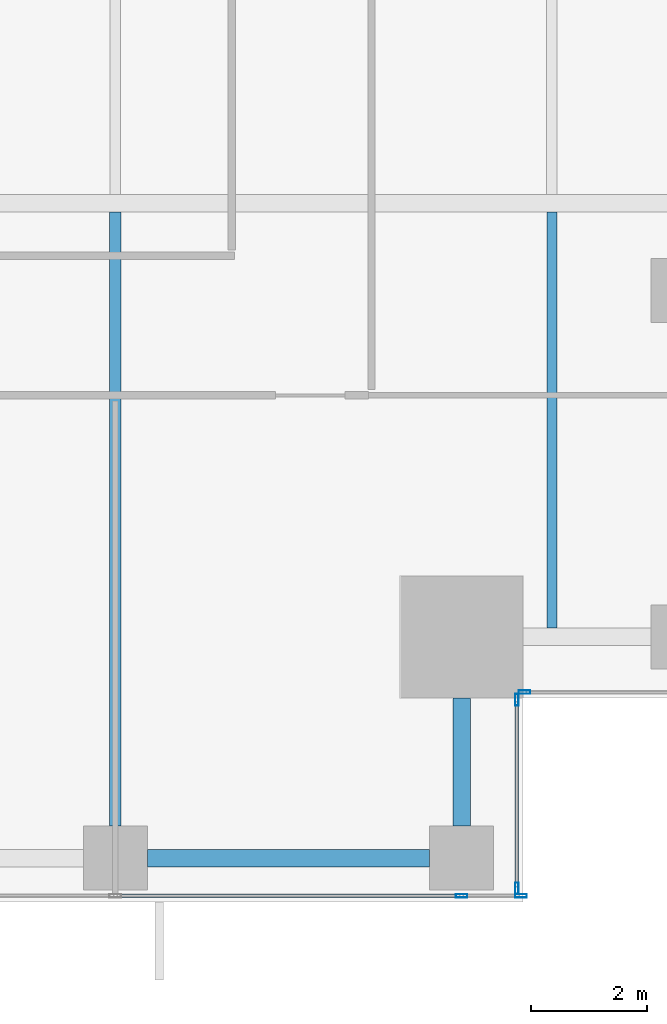
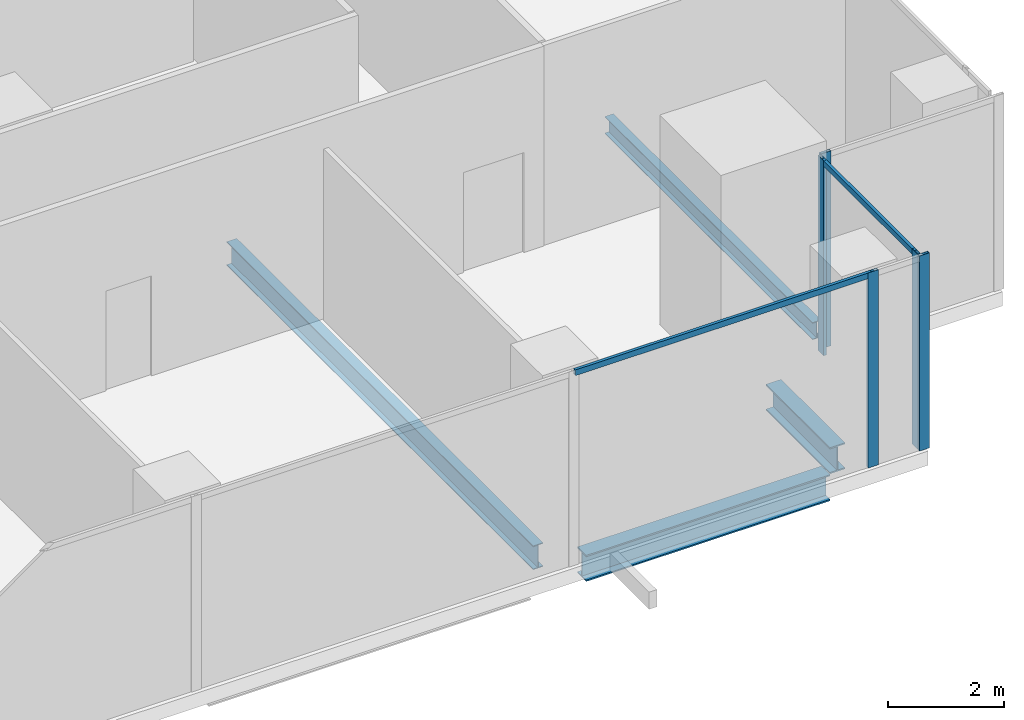
# One storey, part 10 of 34: 7 members, 4 beams, 3 elements without a shape of their own.
"""IFC4 building model written with IfcOpenShell, lengths in metres."""

from ifc_helpers import new_model, si_unit, direction, frame, origin, origin_2d, place, context, subcontext, project, spatial, hollow_rectangle, i_section, extrude, source, transform, mapped, material, material_profile, profile_set, type_object, element, aggregate, save


model = new_model("IFC4")

# Units and contexts
model_context = context("Model", 3, precision=1e-05, world=origin(), true_north=direction((0.0, 1.0)))
body_context = subcontext(model_context, "Body", "Model", "MODEL_VIEW")
ifc_project = project(units=[si_unit("LENGTHUNIT", "METRE"), si_unit("AREAUNIT", "SQUARE_METRE"), si_unit("VOLUMEUNIT", "CUBIC_METRE"), si_unit("PLANEANGLEUNIT", "RADIAN"), si_unit("MASSUNIT", "GRAM", prefix="KILO")], contexts=[model_context])

# Site, building, storey
site_placement = place(None, origin())
site = spatial("IfcSite", under=ifc_project, at=site_placement, CompositionType="ELEMENT")
building_placement = place(site_placement, origin())
building = spatial("IfcBuilding", under=site, at=building_placement, Name="Khomas Fold Tower", CompositionType="ELEMENT")
storey_placement = place(building_placement, frame((0.0, 0.0, 110.300048828125)))
storey = spatial("IfcBuildingStorey", under=building, at=storey_placement, Name="L23", CompositionType="ELEMENT", Elevation=110.300048828125)

# Beams
ifc_material_1 = material(Name="Steel S355", Category="steel")
ifc_material_profile_1 = material_profile(ifc_material_1, i_section(OverallWidth=0.169921875, OverallDepth=0.360107421875, WebThickness=0.008056640625, FlangeThickness=0.0126953125, at=origin_2d()), Name="IPE 360")
ifc_profile_set_1 = profile_set([ifc_material_profile_1], Name="Steel S355")
beam_type_1 = type_object("IfcBeamType", Name="IPE 360 beam JB2", PredefinedType="BEAM", material=ifc_profile_set_1)
shared_shape_1 = source(origin(), body_context, "Body", "SweptSolid", [
    extrude(i_section(OverallWidth=0.169921875, OverallDepth=0.360107421875, WebThickness=0.008056640625, FlangeThickness=0.0126953125, at=origin_2d()), origin(), (0.0, 0.0, 1.0), 7.150146484375),
])
beam_1_placement = place(storey_placement, frame((49.5, 6.199951171875, -0.47998046875), z_axis=(0.0, 1.0, 0.0), x_axis=(-1.0, 0.0, 0.0)))
element("IfcBeam", 1, at=beam_1_placement, inside=storey, type_object=beam_type_1, Name="JB2", PredefinedType="BEAM", context=body_context, shape_type="MappedRepresentation", body=[
    mapped(shared_shape_1, transform((0.0, 0.0, 0.0))),
])
ifc_material_2 = material(Name="Steel S355", Category="steel")
ifc_material_profile_2 = material_profile(ifc_material_2, i_section(OverallWidth=0.300048828125, OverallDepth=0.550048828125, WebThickness=0.014892578125, FlangeThickness=0.029052734375, at=origin_2d()), Name="HE 550 B")
ifc_profile_set_2 = profile_set([ifc_material_profile_2], Name="Steel S355")
beam_type_2 = type_object("IfcBeamType", Name="HE 550 B spandrel SB2", PredefinedType="SPANDREL", material=ifc_profile_set_2)
shared_shape_2 = source(origin(), body_context, "Body", "SweptSolid", [
    extrude(i_section(OverallWidth=0.300048828125, OverallDepth=0.550048828125, WebThickness=0.014892578125, FlangeThickness=0.029052734375, at=origin_2d()), origin(), (0.0, 0.0, 1.0), 4.849853515625),
])
beam_2_placement = place(storey_placement, frame((42.550048828125, 2.25, -0.574951171875), z_axis=(1.0, 0.0, 0.0), x_axis=(0.0, 1.0, 0.0)))
element("IfcBeam", 2, at=beam_2_placement, inside=storey, type_object=beam_type_2, Name="SB2", PredefinedType="SPANDREL", context=body_context, shape_type="MappedRepresentation", body=[
    mapped(shared_shape_2, transform((0.0, 0.0, 0.0))),
])
shared_shape_3 = source(origin(), body_context, "Body", "SweptSolid", [
    extrude(i_section(OverallWidth=0.300048828125, OverallDepth=0.550048828125, WebThickness=0.014892578125, FlangeThickness=0.029052734375, at=origin_2d()), origin(), (0.0, 0.0, 1.0), 2.199951171875),
])
beam_3_placement = place(storey_placement, frame((47.949951171875, 2.800048828125, -0.574951171875), z_axis=(0.0, 1.0, 0.0), x_axis=(-1.0, 0.0, 0.0)))
element("IfcBeam", 3, at=beam_3_placement, inside=storey, type_object=beam_type_2, Name="SB2", PredefinedType="SPANDREL", context=body_context, shape_type="MappedRepresentation", body=[
    mapped(shared_shape_3, transform((0.0, 0.0, 0.0))),
])
ifc_material_3 = material(Name="Steel S355", Category="steel")
ifc_material_profile_3 = material_profile(ifc_material_3, i_section(OverallWidth=0.199951171875, OverallDepth=0.5, WebThickness=0.01025390625, FlangeThickness=0.01611328125, at=origin_2d()), Name="IPE 500")
ifc_profile_set_3 = profile_set([ifc_material_profile_3], Name="Steel S355")
beam_type_3 = type_object("IfcBeamType", Name="IPE 500 beam JB5", PredefinedType="BEAM", material=ifc_profile_set_3)
shared_shape_4 = source(origin(), body_context, "Body", "SweptSolid", [
    extrude(i_section(OverallWidth=0.199951171875, OverallDepth=0.5, WebThickness=0.01025390625, FlangeThickness=0.01611328125, at=origin_2d()), origin(), (0.0, 0.0, 1.0), 10.550048828125),
])
beam_4_placement = place(storey_placement, frame((42.0, 2.800048828125, -0.550048828125), z_axis=(0.0, 1.0, 0.0), x_axis=(-1.0, 0.0, 0.0)))
element("IfcBeam", 4, at=beam_4_placement, inside=storey, type_object=beam_type_3, Name="JB5", PredefinedType="BEAM", context=body_context, shape_type="MappedRepresentation", body=[
    mapped(shared_shape_4, transform((0.0, 0.0, 0.0))),
])

# Curtain wall, member
ifc_material_4 = material(Name="Aluminium framed double glazing", Category="aluminium")
curtain_wall_type = type_object("IfcCurtainWallType", Name="SK-Unitised clear-glass wall, growing floors CW1", PredefinedType="NOTDEFINED", material=ifc_material_4)
curtain_wall_1_placement = place(storey_placement, origin())
curtain_wall_1 = element("IfcCurtainWall", 5, at=curtain_wall_1_placement, inside=storey, type_object=curtain_wall_type, Name="CW1 run L23 00-0", PredefinedType="NOTDEFINED")
ifc_material_5 = material(Name="Aluminium", Category="aluminium")
ifc_material_profile_4 = material_profile(ifc_material_5, hollow_rectangle(XDim=0.06005859375, YDim=0.1201171875, WallThickness=0.00390625, at=origin_2d()), Name="SK-Unitised clear-glass wall, growing floors transom CW1-T")
ifc_profile_set_4 = profile_set([ifc_material_profile_4], Name="Aluminium")
member_type_1 = type_object("IfcMemberType", Name="SK-Unitised clear-glass wall, growing floors transom CW1-T", PredefinedType="USERDEFINED", material=ifc_profile_set_4)
shared_shape_5 = source(origin(), body_context, "Body", "SweptSolid", [
    extrude(hollow_rectangle(XDim=0.06005859375, YDim=0.1201171875, WallThickness=0.00390625, at=origin_2d()), origin(), (0.0, 0.0, 1.0), 5.889892578125),
])
member_1_placement = place(storey_placement, frame((42.030029296875, 1.60009765625, 4.0400390625), z_axis=(1.0, 0.0, 0.0), x_axis=(0.0, 1.0, 0.0)))
member_1 = element("IfcMember", 6, at=member_1_placement, type_object=member_type_1, Name="CW1 transom 7", ObjectType="TRANSOM", PredefinedType="USERDEFINED", context=body_context, shape_type="MappedRepresentation", body=[
    mapped(shared_shape_5, transform((0.0, 0.0, 0.0))),
])

curtain_wall_2_placement = place(storey_placement, origin())
curtain_wall_2 = element("IfcCurtainWall", 7, at=curtain_wall_2_placement, inside=storey, type_object=curtain_wall_type, Name="CW1 corner return L23 01", PredefinedType="NOTDEFINED")
shared_shape_6 = source(origin(), body_context, "Body", "SweptSolid", [
    extrude(hollow_rectangle(XDim=0.06005859375, YDim=0.1201171875, WallThickness=0.00390625, at=origin_2d()), origin(), (0.0, 0.0, 1.0), 3.179931640625),
])
member_2_placement = place(storey_placement, frame((48.89990234375, 1.760009765625, 4.0400390625), z_axis=(0.0, 1.0, 0.0), x_axis=(-1.0, 0.0, 0.0)))
member_2 = element("IfcMember", 8, at=member_2_placement, type_object=member_type_1, Name="CW1 transom 1", ObjectType="TRANSOM", PredefinedType="USERDEFINED", context=body_context, shape_type="MappedRepresentation", body=[
    mapped(shared_shape_6, transform((0.0, 0.0, 0.0))),
])

# Member
ifc_material_6 = material(Name="Aluminium", Category="aluminium")
ifc_material_profile_5 = material_profile(ifc_material_6, hollow_rectangle(XDim=0.06005859375, YDim=0.199951171875, WallThickness=0.00390625, at=origin_2d()), Name="SK-Unitised clear-glass wall, growing floors mullion CW1-M")
ifc_profile_set_5 = profile_set([ifc_material_profile_5], Name="Aluminium")
member_type_2 = type_object("IfcMemberType", Name="SK-Unitised clear-glass wall, growing floors mullion CW1-M", PredefinedType="MULLION", material=ifc_profile_set_5)
shared_shape_7 = source(origin(), body_context, "Body", "SweptSolid", [
    extrude(hollow_rectangle(XDim=0.06005859375, YDim=0.199951171875, WallThickness=0.00390625, at=origin_2d()), origin(), (0.0, 0.0, 1.0), 4.099853515625),
])
member_3_placement = place(storey_placement, frame((47.949951171875, 1.60009765625, 0.0), z_axis=(0.0, 0.0, 1.0), x_axis=(0.0, 1.0, 0.0)))
member_3 = element("IfcMember", 9, at=member_3_placement, type_object=member_type_2, Name="CW1 mullion 8", PredefinedType="MULLION", context=body_context, shape_type="MappedRepresentation", body=[
    mapped(shared_shape_7, transform((0.0, 0.0, 0.0))),
])

member_4_placement = place(storey_placement, frame((48.969970703125, 1.60009765625, 0.0), z_axis=(0.0, 0.0, 1.0), x_axis=(0.0, 1.0, 0.0)))
member_4 = element("IfcMember", 10, at=member_4_placement, type_object=member_type_2, Name="CW1 mullion 9", PredefinedType="MULLION", context=body_context, shape_type="MappedRepresentation", body=[
    mapped(shared_shape_7, transform((0.0, 0.0, 0.0))),
])

aggregate(curtain_wall_1, [member_3, member_4, member_1])

member_5_placement = place(storey_placement, frame((48.89990234375, 1.72998046875, 0.0), z_axis=(0.0, 0.0, 1.0), x_axis=(-1.0, 0.0, 0.0)))
member_5 = element("IfcMember", 11, at=member_5_placement, type_object=member_type_2, Name="CW1 mullion 1", PredefinedType="MULLION", context=body_context, shape_type="MappedRepresentation", body=[
    mapped(shared_shape_7, transform((0.0, 0.0, 0.0))),
])

member_6_placement = place(storey_placement, frame((48.89990234375, 4.969970703125, 0.0), z_axis=(0.0, 0.0, 1.0), x_axis=(-1.0, 0.0, 0.0)))
member_6 = element("IfcMember", 12, at=member_6_placement, type_object=member_type_2, Name="CW1 mullion 2", PredefinedType="MULLION", context=body_context, shape_type="MappedRepresentation", body=[
    mapped(shared_shape_7, transform((0.0, 0.0, 0.0))),
])

aggregate(curtain_wall_2, [member_5, member_6, member_2])

# Curtain wall, member
curtain_wall_3_placement = place(storey_placement, origin())
curtain_wall_3 = element("IfcCurtainWall", 13, at=curtain_wall_3_placement, inside=storey, type_object=curtain_wall_type, Name="CW1 corner return L23 02", PredefinedType="NOTDEFINED")
member_7_placement = place(storey_placement, frame((49.030029296875, 5.10009765625, 0.0), z_axis=(0.0, 0.0, 1.0), x_axis=(0.0, 1.0, 0.0)))
member_7 = element("IfcMember", 14, at=member_7_placement, type_object=member_type_2, Name="CW1 mullion 1", PredefinedType="MULLION", context=body_context, shape_type="MappedRepresentation", body=[
    mapped(shared_shape_7, transform((0.0, 0.0, 0.0))),
])
aggregate(curtain_wall_3, [member_7])

save(model, "model.ifc")
